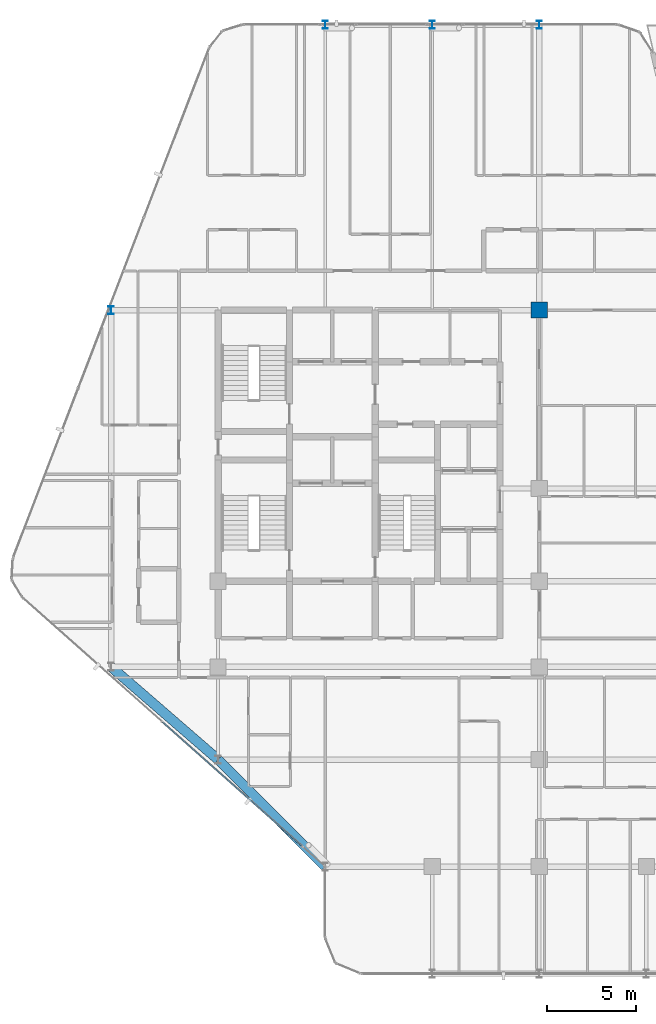
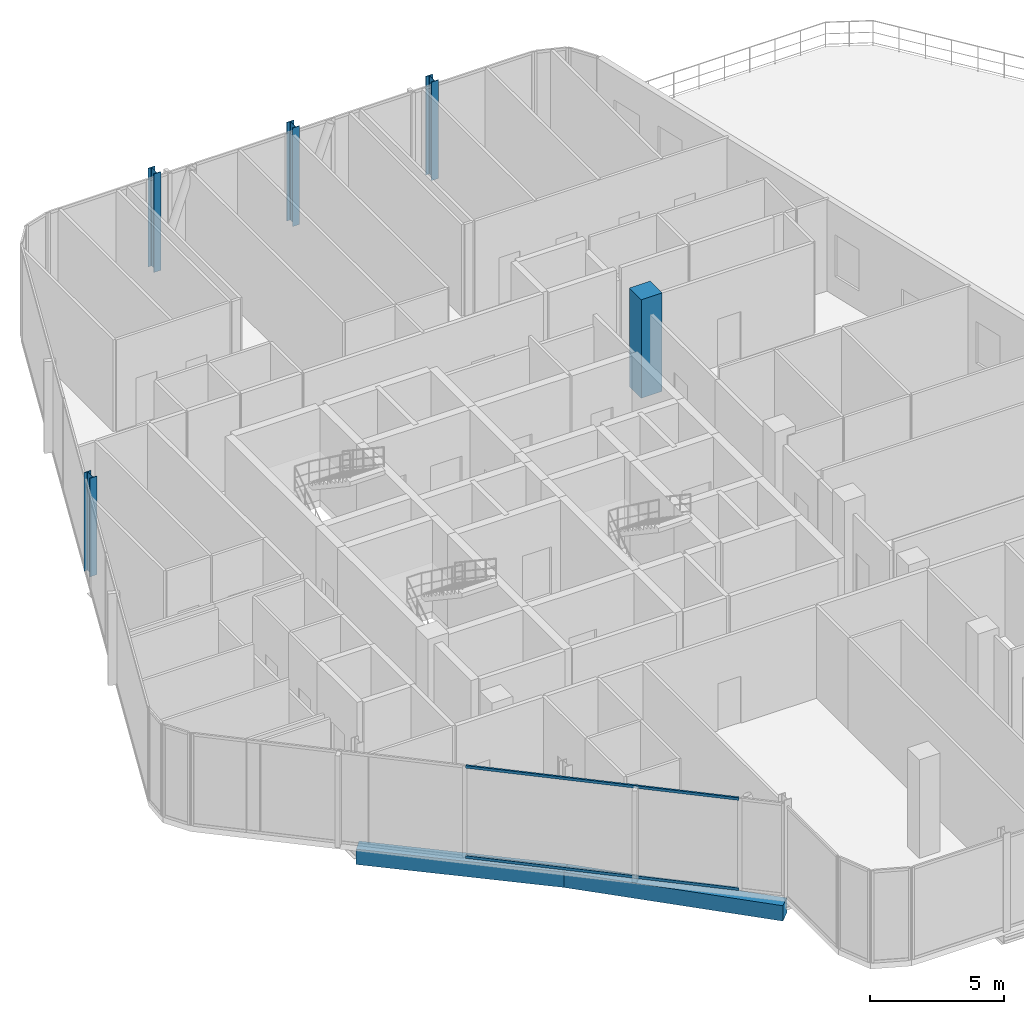
# One storey, part 3 of 28: 5 columns, 2 beams, 2 members, 1 element without a shape of its own.
"""IFC4 building model written with IfcOpenShell, lengths in metres."""

from ifc_helpers import new_model, si_unit, direction, frame, origin, origin_2d, place, context, subcontext, project, spatial, rectangle, hollow_rectangle, i_section, extrude, material, layer, layer_set, material_profile, profile_set, type_object, element, aggregate, save


model = new_model("IFC4")

# Units and contexts
model_context = context("Model", 3, precision=1e-05, world=origin(), true_north=direction((0.0, 1.0)))
body_context = subcontext(model_context, "Body", "Model", "MODEL_VIEW")
ifc_project = project(units=[si_unit("LENGTHUNIT", "METRE"), si_unit("AREAUNIT", "SQUARE_METRE"), si_unit("VOLUMEUNIT", "CUBIC_METRE"), si_unit("PLANEANGLEUNIT", "RADIAN"), si_unit("MASSUNIT", "GRAM", prefix="KILO")], contexts=[model_context])

# Site, building, storey
site_placement = place(None, origin())
site = spatial("IfcSite", under=ifc_project, at=site_placement, CompositionType="ELEMENT")
building_placement = place(site_placement, origin())
building = spatial("IfcBuilding", under=site, at=building_placement, Name="Keshet Zoharim Tower", CompositionType="ELEMENT")
storey_placement = place(building_placement, frame((0.0, 0.0, 164.60009765625)))
storey = spatial("IfcBuildingStorey", under=building, at=storey_placement, Name="L40", CompositionType="ELEMENT", Elevation=164.60009765625)

# Columns
ifc_material_1 = material(Name="Steel S355", Category="steel")
ifc_material_profile_1 = material_profile(ifc_material_1, i_section(OverallWidth=0.300048828125, OverallDepth=0.449951171875, WebThickness=0.013916015625, FlangeThickness=0.02587890625, FilletRadius=0.027099609375, at=origin_2d()), Name="HEB450")
ifc_profile_set_1 = profile_set([ifc_material_profile_1], Name="Steel S355")
column_type_1 = type_object("IfcColumnType", Name="COL-HEB450", PredefinedType="COLUMN", material=ifc_profile_set_1)
for number, where, z_axis, x_axis, name in (
    (1, (9.0, 37.89990234375, 0.0), (0.0, 0.0, 1.0), (1.0, 0.0, 0.0), "L40 Column 2H"),
    (2, (21.0, 53.89990234375, 0.0), (0.0, 0.0, 1.0), (1.0, 0.0, 0.0), "L40 Column 4L"),
    (3, (27.0, 53.89990234375, 0.0), (0.0, 0.0, 1.0), (1.0, 0.0, 0.0), "L40 Column 5L"),
    (4, (33.0, 53.89990234375, 0.0), (0.0, 0.0, 1.0), (1.0, 0.0, 0.0), "L40 Column 6L"),
):
    element("IfcColumn", number, at=place(storey_placement, frame(where, z_axis=z_axis, x_axis=x_axis)), inside=storey, type_object=column_type_1, Name=name, PredefinedType="COLUMN", context=body_context, shape_type="SweptSolid", body=[
        extrude(i_section(OverallWidth=0.300048828125, OverallDepth=0.449951171875, WebThickness=0.013916015625, FlangeThickness=0.02587890625, FilletRadius=0.027099609375, at=origin_2d()), origin(), (0.0, 0.0, 1.0), 4.5),
    ])
ifc_material_2 = material(Name="Concrete C60/75", Category="concrete")
ifc_material_profile_2 = material_profile(ifc_material_2, rectangle(XDim=0.89990234375, YDim=0.89990234375, at=origin_2d()), Name="RC900x900")
ifc_profile_set_2 = profile_set([ifc_material_profile_2], Name="Concrete C60/75")
column_type_2 = type_object("IfcColumnType", Name="COL-RC900", PredefinedType="COLUMN", material=ifc_profile_set_2)
column_placement = place(storey_placement, frame((33.0, 37.89990234375, 0.0), z_axis=(0.0, 0.0, 1.0), x_axis=(1.0, 0.0, 0.0)))
element("IfcColumn", 5, at=column_placement, inside=storey, type_object=column_type_2, Name="L40 Column 6H", PredefinedType="COLUMN", context=body_context, shape_type="SweptSolid", body=[
    extrude(rectangle(XDim=0.89990234375, YDim=0.89990234375, at=origin_2d()), origin(), (0.0, 0.0, 1.0), 4.5),
])

# Beams
ifc_material_3 = material(Name="Concrete C50/60", Category="concrete")
ifc_material_profile_3 = material_profile(ifc_material_3, rectangle(XDim=0.550048828125, YDim=0.699951171875, at=origin_2d()), Name="RC700x550")
ifc_profile_set_3 = profile_set([ifc_material_profile_3], Name="Concrete C50/60")
beam_type = type_object("IfcBeamType", Name="BM-SPN-700", PredefinedType="SPANDREL", material=ifc_profile_set_3)
beam_1_placement = place(storey_placement, frame((21.0, 6.699951171875, -0.66015625), z_axis=(-0.707106781187, 0.707106781187, 0.0), x_axis=(-0.707106781187, -0.707106781187, 0.0)))
element("IfcBeam", 6, at=beam_1_placement, inside=storey, type_object=beam_type, Name="L40 Perimeter Spandrel Beam 01", PredefinedType="SPANDREL", context=body_context, shape_type="SweptSolid", body=[
    extrude(rectangle(XDim=0.550048828125, YDim=0.699951171875, at=origin_2d()), origin(), (0.0, 0.0, 1.0), 8.4853515625),
])
beam_2_placement = place(storey_placement, frame((9.0, 17.89990234375, -0.66015625), z_axis=(0.755692126483, -0.654927026447, 0.0), x_axis=(0.654927026447, 0.755692126483, 0.0)))
element("IfcBeam", 7, at=beam_2_placement, inside=storey, type_object=beam_type, Name="L40 Perimeter Spandrel Beam 02", PredefinedType="SPANDREL", context=body_context, shape_type="SweptSolid", body=[
    extrude(rectangle(XDim=0.550048828125, YDim=0.699951171875, at=origin_2d()), origin(), (0.0, 0.0, 1.0), 7.939697265625),
])

# Curtain wall, members
ifc_material_4 = material(Name="Aluminium 6063-T6", Category="aluminium")
ifc_layer = layer(ifc_material_4, 0.139892578125)
ifc_layer_set = layer_set([ifc_layer], Name="Aluminium 6063-T6")
curtain_wall_type = type_object("IfcCurtainWallType", Name="CW-SYS-05", PredefinedType="NOTDEFINED", material=ifc_layer_set)
curtain_wall_placement = place(storey_placement, origin())
curtain_wall = element("IfcCurtainWall", 8, at=curtain_wall_placement, inside=storey, type_object=curtain_wall_type, Name="L40 Unitised Curtain Wall 10 Part 2", PredefinedType="NOTDEFINED")
ifc_material_profile_4 = material_profile(ifc_material_4, hollow_rectangle(XDim=0.074951171875, YDim=0.1201171875, WallThickness=0.00390625, at=origin_2d()), Name="TRN-75x120")
ifc_profile_set_4 = profile_set([ifc_material_profile_4], Name="Aluminium 6063-T6")
member_type = type_object("IfcMemberType", Name="CWT-T12", PredefinedType="USERDEFINED", material=ifc_profile_set_4)
member_1_placement = place(storey_placement, frame((19.691650390625, 7.863037109375, 0.034912109375), z_axis=(-0.747410609015, 0.664362387205, 0.0), x_axis=(-0.664362387205, -0.747410609015, 0.0)))
member_1 = element("IfcMember", 9, at=member_1_placement, type_object=member_type, Name="CW-05 transom 1.1", ObjectType="TRANSOM", PredefinedType="USERDEFINED", context=body_context, shape_type="SweptSolid", body=[
    extrude(hollow_rectangle(XDim=0.074951171875, YDim=0.1201171875, WallThickness=0.00390625, at=origin_2d()), origin(), (0.0, 0.0, 1.0), 10.43896484375),
])
member_2_placement = place(storey_placement, frame((19.691650390625, 7.863037109375, 4.15478515625), z_axis=(-0.747410609015, 0.664362387205, 0.0), x_axis=(-0.664362387205, -0.747410609015, 0.0)))
member_2 = element("IfcMember", 10, at=member_2_placement, type_object=member_type, Name="CW-05 transom 1.2", ObjectType="TRANSOM", PredefinedType="USERDEFINED", context=body_context, shape_type="SweptSolid", body=[
    extrude(hollow_rectangle(XDim=0.074951171875, YDim=0.1201171875, WallThickness=0.00390625, at=origin_2d()), origin(), (0.0, 0.0, 1.0), 10.43896484375),
])
aggregate(curtain_wall, [member_1, member_2])

save(model, "model.ifc")
